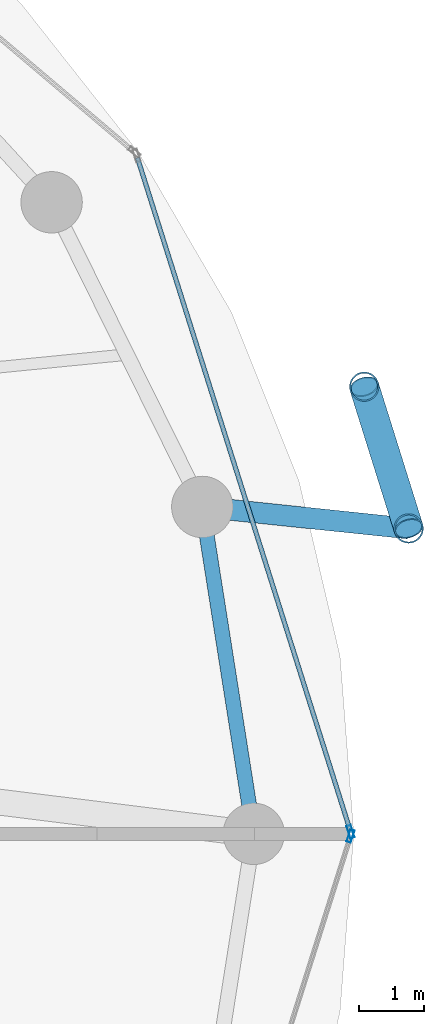
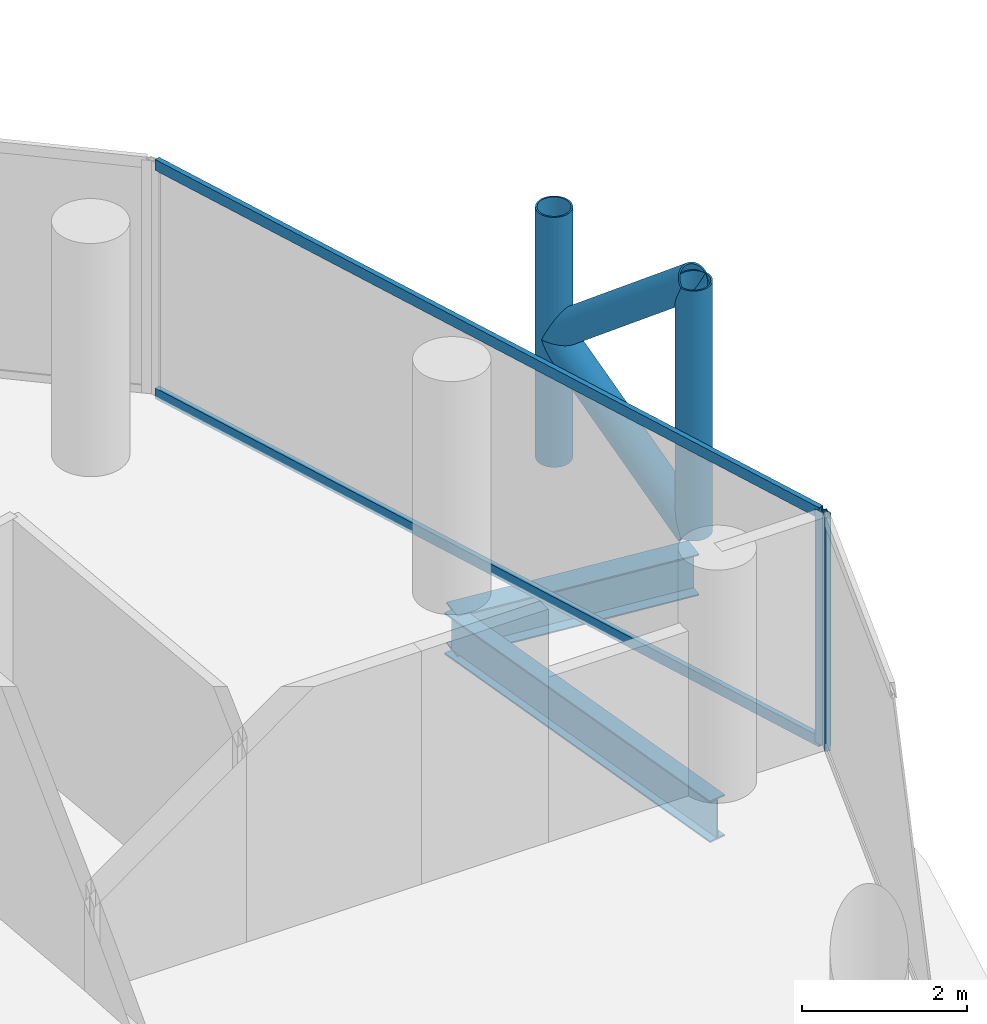
# One storey, part 12 of 26: 8 members, 2 beams, 2 elements without a shape of their own.
"""IFC4 building model written with IfcOpenShell, lengths in metres."""

from ifc_helpers import new_model, si_unit, direction, frame, origin, origin_2d, place, context, subcontext, project, spatial, hollow_rectangle, hollow_circle, i_section, extrude, material, layer, layer_set, material_profile, profile_set, type_object, element, aggregate, save


model = new_model("IFC4")

# Units and contexts
model_context = context("Model", 3, precision=1e-05, world=origin(), true_north=direction((0.0, 1.0)))
body_context = subcontext(model_context, "Body", "Model", "MODEL_VIEW")
ifc_project = project(units=[si_unit("LENGTHUNIT", "METRE"), si_unit("AREAUNIT", "SQUARE_METRE"), si_unit("VOLUMEUNIT", "CUBIC_METRE"), si_unit("PLANEANGLEUNIT", "RADIAN"), si_unit("MASSUNIT", "GRAM", prefix="KILO")], contexts=[model_context])

# Site, building, storey
site_placement = place(None, origin())
site = spatial("IfcSite", under=ifc_project, at=site_placement, CompositionType="ELEMENT")
building_placement = place(site_placement, origin())
building = spatial("IfcBuilding", under=site, at=building_placement, Name="Nuhasar Tower", CompositionType="ELEMENT")
storey_placement = place(building_placement, frame((0.0, 0.0, 173.75)))
storey = spatial("IfcBuildingStorey", under=building, at=storey_placement, Name="L42", CompositionType="ELEMENT", Elevation=173.75)

# Beams
ifc_material_1 = material(Name="Steel S355", Category="steel")
ifc_material_profile_1 = material_profile(ifc_material_1, i_section(OverallWidth=0.22998046875, OverallDepth=0.616943359375, WebThickness=0.01318359375, FlangeThickness=0.022216796875, at=origin_2d()), Name="W24X94")
ifc_profile_set_1 = profile_set([ifc_material_profile_1], Name="Steel S355")
beam_type_1 = type_object("IfcBeamType", Name="BM-RING-W24X94", PredefinedType="SPANDREL", material=ifc_profile_set_1)
beam_1_placement = place(storey_placement, frame((62.35009765625, 26.800048828125, -0.55908203125), z_axis=(-0.155426543608, 0.987847452566, 0.0), x_axis=(-0.987847452566, -0.155426543608, 0.0)))
element("IfcBeam", 1, at=beam_1_placement, inside=storey, type_object=beam_type_1, Name="L42 Perimeter Ring Spandrel 01", PredefinedType="SPANDREL", context=body_context, shape_type="SweptSolid", body=[
    extrude(i_section(OverallWidth=0.22998046875, OverallDepth=0.616943359375, WebThickness=0.01318359375, FlangeThickness=0.022216796875, at=origin_2d()), origin(), (0.0, 0.0, 1.0), 5.122314453125),
])
ifc_material_profile_2 = material_profile(ifc_material_1, i_section(OverallWidth=0.323974609375, OverallDepth=0.611083984375, WebThickness=0.0126953125, FlangeThickness=0.01904296875, at=origin_2d()), Name="W24X104")
ifc_profile_set_2 = profile_set([ifc_material_profile_2], Name="Steel S355")
beam_type_2 = type_object("IfcBeamType", Name="BM-TIE-W24X104", PredefinedType="BEAM", material=ifc_profile_set_2)
beam_2_placement = place(storey_placement, frame((61.553955078125, 31.860107421875, -0.554931640625), z_axis=(0.994569828715, -0.104071397654, 0.0), x_axis=(0.104071397654, 0.994569828715, 0.0)))
element("IfcBeam", 2, at=beam_2_placement, inside=storey, type_object=beam_type_2, Name="L42 Exoskeleton Node Tie Beam 01", PredefinedType="BEAM", context=body_context, shape_type="SweptSolid", body=[
    extrude(i_section(OverallWidth=0.323974609375, OverallDepth=0.611083984375, WebThickness=0.0126953125, FlangeThickness=0.01904296875, at=origin_2d()), origin(), (0.0, 0.0, 1.0), 3.21142578125),
])

# Curtain wall, member
ifc_material_2 = material(Name="Aluminium 6063-T6", Category="aluminium")
ifc_layer = layer(ifc_material_2, 0.199951171875)
ifc_layer_set = layer_set([ifc_layer], Name="Aluminium 6063-T6")
curtain_wall_type = type_object("IfcCurtainWallType", Name="CW-Z2-HTL", PredefinedType="NOTDEFINED", material=ifc_layer_set)
curtain_wall_1_placement = place(storey_placement, origin())
curtain_wall_1 = element("IfcCurtainWall", 3, at=curtain_wall_1_placement, inside=storey, type_object=curtain_wall_type, Name="L42 Unitised Curtain Wall 01", PredefinedType="NOTDEFINED")
ifc_material_profile_3 = material_profile(ifc_material_2, hollow_rectangle(XDim=0.070068359375, YDim=0.199951171875, WallThickness=0.0048828125, at=origin_2d()), Name="CWM-3")
ifc_profile_set_3 = profile_set([ifc_material_profile_3], Name="Aluminium 6063-T6")
member_type_1 = type_object("IfcMemberType", Name="CW-MUL-S3", PredefinedType="MULLION", material=ifc_profile_set_3)
member_1_placement = place(storey_placement, frame((63.849365234375, 26.833251953125, 0.0), z_axis=(0.0, 0.0, 1.0), x_axis=(-0.953433389233, -0.301603667577, 0.0)))
member_1 = element("IfcMember", 4, at=member_1_placement, type_object=member_type_1, Name="CW-Z2 mullion 1", PredefinedType="MULLION", context=body_context, shape_type="SweptSolid", body=[
    extrude(hollow_rectangle(XDim=0.070068359375, YDim=0.199951171875, WallThickness=0.0048828125, at=origin_2d()), origin(), (0.0, 0.0, 1.0), 3.449951171875),
])

curtain_wall_2_placement = place(storey_placement, origin())
curtain_wall_2 = element("IfcCurtainWall", 5, at=curtain_wall_2_placement, inside=storey, type_object=curtain_wall_type, Name="L42 Unitised Curtain Wall 12", PredefinedType="NOTDEFINED")
member_2_placement = place(storey_placement, frame((63.849365234375, 26.7666015625, 0.0), z_axis=(0.0, 0.0, 1.0), x_axis=(-0.953433389233, 0.301603667577, 0.0)))
member_2 = element("IfcMember", 6, at=member_2_placement, type_object=member_type_1, Name="CW-Z2 mullion 2", PredefinedType="MULLION", context=body_context, shape_type="SweptSolid", body=[
    extrude(hollow_rectangle(XDim=0.070068359375, YDim=0.199951171875, WallThickness=0.0048828125, at=origin_2d()), origin(), (0.0, 0.0, 1.0), 3.449951171875),
])
aggregate(curtain_wall_2, [member_2])

# Member
ifc_material_profile_4 = material_profile(ifc_material_2, hollow_rectangle(XDim=0.070068359375, YDim=0.159912109375, WallThickness=0.00439453125, at=origin_2d()), Name="CWT-3")
ifc_profile_set_4 = profile_set([ifc_material_profile_4], Name="Aluminium 6063-T6")
member_type_2 = type_object("IfcMemberType", Name="CW-TRN-S3", PredefinedType="USERDEFINED", material=ifc_profile_set_4)
member_3_placement = place(storey_placement, frame((63.8388671875, 26.86669921875, 0.034912109375), z_axis=(-0.301608163352, 0.953431967053, 0.0), x_axis=(-0.953431967053, -0.301608163352, 0.0)))
member_3 = element("IfcMember", 7, at=member_3_placement, type_object=member_type_2, Name="CW-Z2 transom 1.1", ObjectType="TRANSOM", PredefinedType="USERDEFINED", context=body_context, shape_type="SweptSolid", body=[
    extrude(hollow_rectangle(XDim=0.070068359375, YDim=0.159912109375, WallThickness=0.00439453125, at=origin_2d()), origin(), (0.0, 0.0, 1.0), 10.904296875),
])

member_4_placement = place(storey_placement, frame((63.8388671875, 26.86669921875, 3.4150390625), z_axis=(-0.301608163352, 0.953431967053, 0.0), x_axis=(-0.953431967053, -0.301608163352, 0.0)))
member_4 = element("IfcMember", 8, at=member_4_placement, type_object=member_type_2, Name="CW-Z2 transom 1.2", ObjectType="TRANSOM", PredefinedType="USERDEFINED", context=body_context, shape_type="SweptSolid", body=[
    extrude(hollow_rectangle(XDim=0.070068359375, YDim=0.159912109375, WallThickness=0.00439453125, at=origin_2d()), origin(), (0.0, 0.0, 1.0), 10.904296875),
])

aggregate(curtain_wall_1, [member_1, member_3, member_4])

# Members
ifc_material_3 = material(Name="Steel S460", Category="steel")
ifc_material_profile_5 = material_profile(ifc_material_3, hollow_circle(Radius=0.228515625, WallThickness=0.022216796875, at=origin_2d()), Name="HSS457X22.2")
ifc_profile_set_5 = profile_set([ifc_material_profile_5], Name="Steel S460")
member_type_3 = type_object("IfcMemberType", Name="EXO-BRONZE-457", PredefinedType="BRACE", material=ifc_profile_set_5)
for number, where, z_axis, x_axis, name in (
    (9, (64.748046875, 31.52587890625, 0.0), (0.0, 0.0, 1.0), (1.0, 0.0, 0.0), "L42 Exoskeleton Chord Column EC-01A"),
    (10, (64.06005859375, 33.720947265625, 0.0), (0.0, 0.0, 1.0), (1.0, 0.0, 0.0), "L42 Exoskeleton Chord Column EC-01B"),
):
    element("IfcMember", number, at=place(storey_placement, frame(where, z_axis=z_axis, x_axis=x_axis)), inside=storey, type_object=member_type_3, Name=name, PredefinedType="BRACE", context=body_context, shape_type="SweptSolid", body=[
        extrude(hollow_circle(Radius=0.228515625, WallThickness=0.022216796875, at=origin_2d()), origin(), (0.0, 0.0, 1.0), 3.699951171875),
    ])
member_5_placement = place(storey_placement, frame((64.748046875, 31.52587890625, 0.0), z_axis=(-0.233055548538, 0.743577869731, 0.626719285599), x_axis=(-0.954228474306, -0.29907861646, 0.0)))
element("IfcMember", 11, at=member_5_placement, inside=storey, type_object=member_type_3, Name="L42 Bronze Diagrid Brace W1-01", PredefinedType="BRACE", context=body_context, shape_type="SweptSolid", body=[
    extrude(hollow_circle(Radius=0.228515625, WallThickness=0.022216796875, at=origin_2d()), origin(), (0.0, 0.0, 1.0), 2.9521484375),
])
member_6_placement = place(storey_placement, frame((64.06005859375, 33.720947265625, 1.85009765625), z_axis=(0.233067628236, -0.74361641074, 0.626669062861), x_axis=(0.954228474306, 0.29907861646, 0.0)))
element("IfcMember", 12, at=member_6_placement, inside=storey, type_object=member_type_3, Name="L42 Bronze Diagrid Brace W2-01", PredefinedType="BRACE", context=body_context, shape_type="SweptSolid", body=[
    extrude(hollow_circle(Radius=0.228515625, WallThickness=0.022216796875, at=origin_2d()), origin(), (0.0, 0.0, 1.0), 2.951904296875),
])

save(model, "model.ifc")
